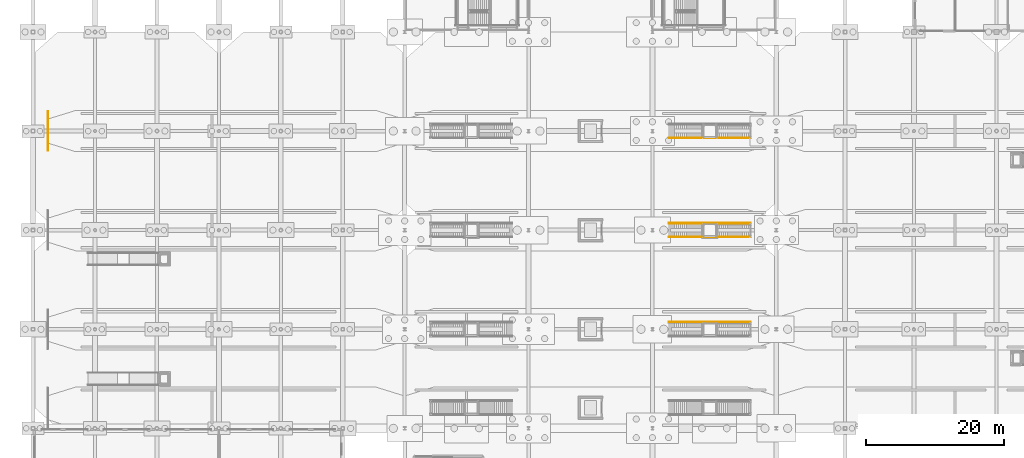
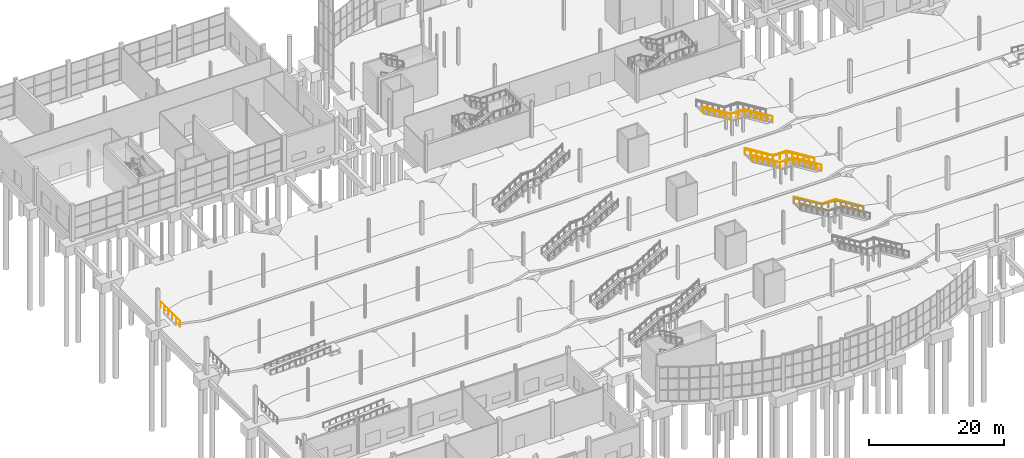
# One storey, part 103 of 115: 8 railings.
"""IFC4 building model written with IfcOpenShell, lengths in metres."""

from ifc_helpers import new_model, si_unit, direction, frame, origin, origin_2d, place, context, subcontext, project, spatial, circle, extrude, material, type_object, element, save


model = new_model("IFC4")

# Units and contexts
model_context = context("Model", 3, precision=1e-05, world=origin(), true_north=direction((0.0, 1.0)))
body_context = subcontext(model_context, "Body", "Model", "MODEL_VIEW")
ifc_project = project(units=[si_unit("LENGTHUNIT", "METRE"), si_unit("AREAUNIT", "SQUARE_METRE"), si_unit("VOLUMEUNIT", "CUBIC_METRE"), si_unit("PLANEANGLEUNIT", "RADIAN"), si_unit("MASSUNIT", "GRAM", prefix="KILO")], contexts=[model_context])

# Site, building, storey
site_placement = place(None, origin())
site = spatial("IfcSite", under=ifc_project, at=site_placement, CompositionType="ELEMENT")
building_placement = place(site_placement, origin())
building = spatial("IfcBuilding", under=site, at=building_placement, Name="Tamarisk Ironworks Central Station", CompositionType="ELEMENT")
storey_placement = place(building_placement, origin())
storey = spatial("IfcBuildingStorey", under=building, at=storey_placement, Name="L00", CompositionType="ELEMENT", Elevation=0.0)

# Railings
ifc_material = material(Name="Brushed stainless steel AISI 316", Category="steel")
railing_type_1 = type_object("IfcRailingType", Name="RL-GUARD-INT", PredefinedType="BALUSTRADE", material=ifc_material)
railing_1_placement = place(storey_placement, frame((104.239990234375, 37.0400390625, 0.719970703125)))
element("IfcRailing", 1, at=railing_1_placement, inside=storey, type_object=railing_type_1, Name="ST-P2B flight guard N", PredefinedType="BALUSTRADE", context=body_context, shape_type="SweptSolid", body=[
    extrude(circle(Radius=0.02392578125, at=origin_2d()), frame((0.0, 0.0, 1.09619140625), z_axis=(-0.850803161698, 0.0, 0.525484519319), x_axis=(0.0, -1.0, 0.0)), (0.0, 0.0, 1.0), 5.5947265625),
    extrude(circle(Radius=0.02392578125, at=origin_2d()), frame((-4.760009765625, 0.0, 4.0361328125), z_axis=(-1.0, 0.0, 0.0), x_axis=(0.0, -1.0, 0.0)), (0.0, 0.0, 1.0), 2.320068359375),
    extrude(circle(Radius=0.02392578125, at=origin_2d()), frame((-7.080078125, 0.0, 4.0361328125), z_axis=(-0.850783651871, 0.0, 0.525516106041), x_axis=(0.0, -1.0, 0.0)), (0.0, 0.0, 1.0), 5.594970703125),
    extrude(circle(Radius=0.02099609375, at=origin_2d()), origin(), (0.0, 0.0, 1.0), 1.072021484375),
    extrude(circle(Radius=0.02099609375, at=origin_2d()), frame((-0.951904296875, 0.0, 0.587890625)), (0.0, 0.0, 1.0), 1.072021484375),
    extrude(circle(Radius=0.02099609375, at=origin_2d()), frame((-1.904052734375, 0.0, 1.176025390625)), (0.0, 0.0, 1.0), 1.072021484375),
    extrude(circle(Radius=0.02099609375, at=origin_2d()), frame((-2.85595703125, 0.0, 1.763916015625)), (0.0, 0.0, 1.0), 1.072021484375),
    extrude(circle(Radius=0.02099609375, at=origin_2d()), frame((-3.80810546875, 0.0, 2.35205078125)), (0.0, 0.0, 1.0), 1.072021484375),
    extrude(circle(Radius=0.02099609375, at=origin_2d()), frame((-4.760009765625, 0.0, 2.93994140625)), (0.0, 0.0, 1.0), 1.072021484375),
    extrude(circle(Radius=0.02099609375, at=origin_2d()), frame((-5.919921875, 0.0, 2.93994140625)), (0.0, 0.0, 1.0), 1.072021484375),
    extrude(circle(Radius=0.02099609375, at=origin_2d()), frame((-7.080078125, 0.0, 2.93994140625)), (0.0, 0.0, 1.0), 1.072021484375),
    extrude(circle(Radius=0.02099609375, at=origin_2d()), frame((-8.031982421875, 0.0, 3.528076171875)), (0.0, 0.0, 1.0), 1.072021484375),
    extrude(circle(Radius=0.02099609375, at=origin_2d()), frame((-8.984130859375, 0.0, 4.115966796875)), (0.0, 0.0, 1.0), 1.072021484375),
    extrude(circle(Radius=0.02099609375, at=origin_2d()), frame((-9.93603515625, 0.0, 4.7041015625)), (0.0, 0.0, 1.0), 1.072021484375),
    extrude(circle(Radius=0.02099609375, at=origin_2d()), frame((-10.88818359375, 0.0, 5.2919921875)), (0.0, 0.0, 1.0), 1.072021484375),
    extrude(circle(Radius=0.02099609375, at=origin_2d()), frame((-11.840087890625, 0.0, 5.880126953125)), (0.0, 0.0, 1.0), 1.072021484375),
])
railing_2_placement = place(storey_placement, frame((104.239990234375, 49.360107421875, 0.719970703125)))
element("IfcRailing", 2, at=railing_2_placement, inside=storey, type_object=railing_type_1, Name="ST-P3B flight guard S", PredefinedType="BALUSTRADE", context=body_context, shape_type="SweptSolid", body=[
    extrude(circle(Radius=0.02392578125, at=origin_2d()), frame((0.0, 0.0, 1.09619140625), z_axis=(-0.850803161698, 0.0, 0.525484519319), x_axis=(0.0, -1.0, 0.0)), (0.0, 0.0, 1.0), 5.5947265625),
    extrude(circle(Radius=0.02392578125, at=origin_2d()), frame((-4.760009765625, 0.0, 4.0361328125), z_axis=(-1.0, 0.0, 0.0), x_axis=(0.0, -1.0, 0.0)), (0.0, 0.0, 1.0), 2.320068359375),
    extrude(circle(Radius=0.02392578125, at=origin_2d()), frame((-7.080078125, 0.0, 4.0361328125), z_axis=(-0.850783651871, 0.0, 0.525516106041), x_axis=(0.0, -1.0, 0.0)), (0.0, 0.0, 1.0), 5.594970703125),
    extrude(circle(Radius=0.02099609375, at=origin_2d()), origin(), (0.0, 0.0, 1.0), 1.072021484375),
    extrude(circle(Radius=0.02099609375, at=origin_2d()), frame((-0.951904296875, 0.0, 0.587890625)), (0.0, 0.0, 1.0), 1.072021484375),
    extrude(circle(Radius=0.02099609375, at=origin_2d()), frame((-1.904052734375, 0.0, 1.176025390625)), (0.0, 0.0, 1.0), 1.072021484375),
    extrude(circle(Radius=0.02099609375, at=origin_2d()), frame((-2.85595703125, 0.0, 1.763916015625)), (0.0, 0.0, 1.0), 1.072021484375),
    extrude(circle(Radius=0.02099609375, at=origin_2d()), frame((-3.80810546875, 0.0, 2.35205078125)), (0.0, 0.0, 1.0), 1.072021484375),
    extrude(circle(Radius=0.02099609375, at=origin_2d()), frame((-4.760009765625, 0.0, 2.93994140625)), (0.0, 0.0, 1.0), 1.072021484375),
    extrude(circle(Radius=0.02099609375, at=origin_2d()), frame((-5.919921875, 0.0, 2.93994140625)), (0.0, 0.0, 1.0), 1.072021484375),
    extrude(circle(Radius=0.02099609375, at=origin_2d()), frame((-7.080078125, 0.0, 2.93994140625)), (0.0, 0.0, 1.0), 1.072021484375),
    extrude(circle(Radius=0.02099609375, at=origin_2d()), frame((-8.031982421875, 0.0, 3.528076171875)), (0.0, 0.0, 1.0), 1.072021484375),
    extrude(circle(Radius=0.02099609375, at=origin_2d()), frame((-8.984130859375, 0.0, 4.115966796875)), (0.0, 0.0, 1.0), 1.072021484375),
    extrude(circle(Radius=0.02099609375, at=origin_2d()), frame((-9.93603515625, 0.0, 4.7041015625)), (0.0, 0.0, 1.0), 1.072021484375),
    extrude(circle(Radius=0.02099609375, at=origin_2d()), frame((-10.88818359375, 0.0, 5.2919921875)), (0.0, 0.0, 1.0), 1.072021484375),
    extrude(circle(Radius=0.02099609375, at=origin_2d()), frame((-11.840087890625, 0.0, 5.880126953125)), (0.0, 0.0, 1.0), 1.072021484375),
])
railing_3_placement = place(storey_placement, frame((104.239990234375, 51.43994140625, 0.719970703125)))
element("IfcRailing", 3, at=railing_3_placement, inside=storey, type_object=railing_type_1, Name="ST-P3B flight guard N", PredefinedType="BALUSTRADE", context=body_context, shape_type="SweptSolid", body=[
    extrude(circle(Radius=0.02392578125, at=origin_2d()), frame((0.0, 0.0, 1.09619140625), z_axis=(-0.850803161698, 0.0, 0.525484519319), x_axis=(0.0, -1.0, 0.0)), (0.0, 0.0, 1.0), 5.5947265625),
    extrude(circle(Radius=0.02392578125, at=origin_2d()), frame((-4.760009765625, 0.0, 4.0361328125), z_axis=(-1.0, 0.0, 0.0), x_axis=(0.0, -1.0, 0.0)), (0.0, 0.0, 1.0), 2.320068359375),
    extrude(circle(Radius=0.02392578125, at=origin_2d()), frame((-7.080078125, 0.0, 4.0361328125), z_axis=(-0.850783651871, 0.0, 0.525516106041), x_axis=(0.0, -1.0, 0.0)), (0.0, 0.0, 1.0), 5.594970703125),
    extrude(circle(Radius=0.02099609375, at=origin_2d()), origin(), (0.0, 0.0, 1.0), 1.072021484375),
    extrude(circle(Radius=0.02099609375, at=origin_2d()), frame((-0.951904296875, 0.0, 0.587890625)), (0.0, 0.0, 1.0), 1.072021484375),
    extrude(circle(Radius=0.02099609375, at=origin_2d()), frame((-1.904052734375, 0.0, 1.176025390625)), (0.0, 0.0, 1.0), 1.072021484375),
    extrude(circle(Radius=0.02099609375, at=origin_2d()), frame((-2.85595703125, 0.0, 1.763916015625)), (0.0, 0.0, 1.0), 1.072021484375),
    extrude(circle(Radius=0.02099609375, at=origin_2d()), frame((-3.80810546875, 0.0, 2.35205078125)), (0.0, 0.0, 1.0), 1.072021484375),
    extrude(circle(Radius=0.02099609375, at=origin_2d()), frame((-4.760009765625, 0.0, 2.93994140625)), (0.0, 0.0, 1.0), 1.072021484375),
    extrude(circle(Radius=0.02099609375, at=origin_2d()), frame((-5.919921875, 0.0, 2.93994140625)), (0.0, 0.0, 1.0), 1.072021484375),
    extrude(circle(Radius=0.02099609375, at=origin_2d()), frame((-7.080078125, 0.0, 2.93994140625)), (0.0, 0.0, 1.0), 1.072021484375),
    extrude(circle(Radius=0.02099609375, at=origin_2d()), frame((-8.031982421875, 0.0, 3.528076171875)), (0.0, 0.0, 1.0), 1.072021484375),
    extrude(circle(Radius=0.02099609375, at=origin_2d()), frame((-8.984130859375, 0.0, 4.115966796875)), (0.0, 0.0, 1.0), 1.072021484375),
    extrude(circle(Radius=0.02099609375, at=origin_2d()), frame((-9.93603515625, 0.0, 4.7041015625)), (0.0, 0.0, 1.0), 1.072021484375),
    extrude(circle(Radius=0.02099609375, at=origin_2d()), frame((-10.88818359375, 0.0, 5.2919921875)), (0.0, 0.0, 1.0), 1.072021484375),
    extrude(circle(Radius=0.02099609375, at=origin_2d()), frame((-11.840087890625, 0.0, 5.880126953125)), (0.0, 0.0, 1.0), 1.072021484375),
])
railing_4_placement = place(storey_placement, frame((104.239990234375, 63.760009765625, 0.719970703125)))
element("IfcRailing", 4, at=railing_4_placement, inside=storey, type_object=railing_type_1, Name="ST-P4B flight guard S", PredefinedType="BALUSTRADE", context=body_context, shape_type="SweptSolid", body=[
    extrude(circle(Radius=0.02392578125, at=origin_2d()), frame((0.0, 0.0, 1.09619140625), z_axis=(-0.850803161698, 0.0, 0.525484519319), x_axis=(0.0, -1.0, 0.0)), (0.0, 0.0, 1.0), 5.5947265625),
    extrude(circle(Radius=0.02392578125, at=origin_2d()), frame((-4.760009765625, 0.0, 4.0361328125), z_axis=(-1.0, 0.0, 0.0), x_axis=(0.0, -1.0, 0.0)), (0.0, 0.0, 1.0), 2.320068359375),
    extrude(circle(Radius=0.02392578125, at=origin_2d()), frame((-7.080078125, 0.0, 4.0361328125), z_axis=(-0.850783651871, 0.0, 0.525516106041), x_axis=(0.0, -1.0, 0.0)), (0.0, 0.0, 1.0), 5.594970703125),
    extrude(circle(Radius=0.02099609375, at=origin_2d()), origin(), (0.0, 0.0, 1.0), 1.072021484375),
    extrude(circle(Radius=0.02099609375, at=origin_2d()), frame((-0.951904296875, 0.0, 0.587890625)), (0.0, 0.0, 1.0), 1.072021484375),
    extrude(circle(Radius=0.02099609375, at=origin_2d()), frame((-1.904052734375, 0.0, 1.176025390625)), (0.0, 0.0, 1.0), 1.072021484375),
    extrude(circle(Radius=0.02099609375, at=origin_2d()), frame((-2.85595703125, 0.0, 1.763916015625)), (0.0, 0.0, 1.0), 1.072021484375),
    extrude(circle(Radius=0.02099609375, at=origin_2d()), frame((-3.80810546875, 0.0, 2.35205078125)), (0.0, 0.0, 1.0), 1.072021484375),
    extrude(circle(Radius=0.02099609375, at=origin_2d()), frame((-4.760009765625, 0.0, 2.93994140625)), (0.0, 0.0, 1.0), 1.072021484375),
    extrude(circle(Radius=0.02099609375, at=origin_2d()), frame((-5.919921875, 0.0, 2.93994140625)), (0.0, 0.0, 1.0), 1.072021484375),
    extrude(circle(Radius=0.02099609375, at=origin_2d()), frame((-7.080078125, 0.0, 2.93994140625)), (0.0, 0.0, 1.0), 1.072021484375),
    extrude(circle(Radius=0.02099609375, at=origin_2d()), frame((-8.031982421875, 0.0, 3.528076171875)), (0.0, 0.0, 1.0), 1.072021484375),
    extrude(circle(Radius=0.02099609375, at=origin_2d()), frame((-8.984130859375, 0.0, 4.115966796875)), (0.0, 0.0, 1.0), 1.072021484375),
    extrude(circle(Radius=0.02099609375, at=origin_2d()), frame((-9.93603515625, 0.0, 4.7041015625)), (0.0, 0.0, 1.0), 1.072021484375),
    extrude(circle(Radius=0.02099609375, at=origin_2d()), frame((-10.88818359375, 0.0, 5.2919921875)), (0.0, 0.0, 1.0), 1.072021484375),
    extrude(circle(Radius=0.02099609375, at=origin_2d()), frame((-11.840087890625, 0.0, 5.880126953125)), (0.0, 0.0, 1.0), 1.072021484375),
])
railing_5_placement = place(storey_placement, frame((2.14990234375, 61.949951171875, 0.719970703125)))
element("IfcRailing", 5, at=railing_5_placement, inside=storey, type_object=railing_type_1, Name="P4 west buffer-end safety guard", PredefinedType="BALUSTRADE", context=body_context, shape_type="SweptSolid", body=[
    extrude(circle(Radius=0.02392578125, at=origin_2d()), frame((0.0, 0.0, 1.09619140625), z_axis=(0.0, 1.0, 0.0), x_axis=(-1.0, 0.0, 0.0)), (0.0, 0.0, 1.0), 5.699951171875),
    extrude(circle(Radius=0.02099609375, at=origin_2d()), origin(), (0.0, 0.0, 1.0), 1.072021484375),
    extrude(circle(Radius=0.02099609375, at=origin_2d()), frame((0.0, 1.139892578125, 0.0)), (0.0, 0.0, 1.0), 1.072021484375),
    extrude(circle(Radius=0.02099609375, at=origin_2d()), frame((0.0, 2.280029296875, 0.0)), (0.0, 0.0, 1.0), 1.072021484375),
    extrude(circle(Radius=0.02099609375, at=origin_2d()), frame((0.0, 3.419921875, 0.0)), (0.0, 0.0, 1.0), 1.072021484375),
    extrude(circle(Radius=0.02099609375, at=origin_2d()), frame((0.0, 4.56005859375, 0.0)), (0.0, 0.0, 1.0), 1.072021484375),
    extrude(circle(Radius=0.02099609375, at=origin_2d()), frame((0.0, 5.699951171875, 0.0)), (0.0, 0.0, 1.0), 1.072021484375),
])
railing_type_2 = type_object("IfcRailingType", Name="RL-HAND", PredefinedType="HANDRAIL", material=ifc_material)
railing_6_placement = place(storey_placement, frame((104.239990234375, 49.43994140625, 0.88330078125)))
element("IfcRailing", 6, at=railing_6_placement, inside=storey, type_object=railing_type_2, Name="ST-P3B handrail S", PredefinedType="HANDRAIL", context=body_context, shape_type="SweptSolid", body=[
    extrude(circle(Radius=0.02392578125, at=origin_2d()), frame((0.0, 0.0, 0.8759765625), z_axis=(-0.863783721438, 0.0, 0.503862761651), x_axis=(0.0, -1.0, 0.0)), (0.0, 0.0, 1.0), 5.5107421875),
    extrude(circle(Radius=0.02392578125, at=origin_2d()), frame((-4.760009765625, 0.0, 3.65234375), z_axis=(-0.997531175799, 0.0, 0.070225019111), x_axis=(0.0, -1.0, 0.0)), (0.0, 0.0, 1.0), 2.325927734375),
    extrude(circle(Radius=0.02392578125, at=origin_2d()), frame((-7.080078125, 0.0, 3.81591796875), z_axis=(-0.863764439128, 0.0, 0.503895816313), x_axis=(0.0, -1.0, 0.0)), (0.0, 0.0, 1.0), 5.5107421875),
    extrude(circle(Radius=0.02099609375, at=origin_2d()), origin(), (0.0, 0.0, 1.0), 0.851806640625),
    extrude(circle(Radius=0.02099609375, at=origin_2d()), frame((-0.951904296875, 0.0, 0.555419921875)), (0.0, 0.0, 1.0), 0.851806640625),
    extrude(circle(Radius=0.02099609375, at=origin_2d()), frame((-1.904052734375, 0.0, 1.110595703125)), (0.0, 0.0, 1.0), 0.851806640625),
    extrude(circle(Radius=0.02099609375, at=origin_2d()), frame((-2.85595703125, 0.0, 1.666015625)), (0.0, 0.0, 1.0), 0.851806640625),
    extrude(circle(Radius=0.02099609375, at=origin_2d()), frame((-3.80810546875, 0.0, 2.22119140625)), (0.0, 0.0, 1.0), 0.851806640625),
    extrude(circle(Radius=0.02099609375, at=origin_2d()), frame((-4.760009765625, 0.0, 2.776611328125)), (0.0, 0.0, 1.0), 0.851806640625),
    extrude(circle(Radius=0.02099609375, at=origin_2d()), frame((-5.919921875, 0.0, 2.8583984375)), (0.0, 0.0, 1.0), 0.851806640625),
    extrude(circle(Radius=0.02099609375, at=origin_2d()), frame((-7.080078125, 0.0, 2.93994140625)), (0.0, 0.0, 1.0), 0.851806640625),
    extrude(circle(Radius=0.02099609375, at=origin_2d()), frame((-8.031982421875, 0.0, 3.495361328125)), (0.0, 0.0, 1.0), 0.851806640625),
    extrude(circle(Radius=0.02099609375, at=origin_2d()), frame((-8.984130859375, 0.0, 4.05078125)), (0.0, 0.0, 1.0), 0.851806640625),
    extrude(circle(Radius=0.02099609375, at=origin_2d()), frame((-9.93603515625, 0.0, 4.60595703125)), (0.0, 0.0, 1.0), 0.851806640625),
    extrude(circle(Radius=0.02099609375, at=origin_2d()), frame((-10.88818359375, 0.0, 5.161376953125)), (0.0, 0.0, 1.0), 0.851806640625),
    extrude(circle(Radius=0.02099609375, at=origin_2d()), frame((-11.840087890625, 0.0, 5.716796875)), (0.0, 0.0, 1.0), 0.851806640625),
])
railing_7_placement = place(storey_placement, frame((104.239990234375, 51.360107421875, 0.88330078125)))
element("IfcRailing", 7, at=railing_7_placement, inside=storey, type_object=railing_type_2, Name="ST-P3B handrail N", PredefinedType="HANDRAIL", context=body_context, shape_type="SweptSolid", body=[
    extrude(circle(Radius=0.02392578125, at=origin_2d()), frame((0.0, 0.0, 0.8759765625), z_axis=(-0.863783721438, 0.0, 0.503862761651), x_axis=(0.0, -1.0, 0.0)), (0.0, 0.0, 1.0), 5.5107421875),
    extrude(circle(Radius=0.02392578125, at=origin_2d()), frame((-4.760009765625, 0.0, 3.65234375), z_axis=(-0.997531175799, 0.0, 0.070225019111), x_axis=(0.0, -1.0, 0.0)), (0.0, 0.0, 1.0), 2.325927734375),
    extrude(circle(Radius=0.02392578125, at=origin_2d()), frame((-7.080078125, 0.0, 3.81591796875), z_axis=(-0.863764439128, 0.0, 0.503895816313), x_axis=(0.0, -1.0, 0.0)), (0.0, 0.0, 1.0), 5.5107421875),
    extrude(circle(Radius=0.02099609375, at=origin_2d()), origin(), (0.0, 0.0, 1.0), 0.851806640625),
    extrude(circle(Radius=0.02099609375, at=origin_2d()), frame((-0.951904296875, 0.0, 0.555419921875)), (0.0, 0.0, 1.0), 0.851806640625),
    extrude(circle(Radius=0.02099609375, at=origin_2d()), frame((-1.904052734375, 0.0, 1.110595703125)), (0.0, 0.0, 1.0), 0.851806640625),
    extrude(circle(Radius=0.02099609375, at=origin_2d()), frame((-2.85595703125, 0.0, 1.666015625)), (0.0, 0.0, 1.0), 0.851806640625),
    extrude(circle(Radius=0.02099609375, at=origin_2d()), frame((-3.80810546875, 0.0, 2.22119140625)), (0.0, 0.0, 1.0), 0.851806640625),
    extrude(circle(Radius=0.02099609375, at=origin_2d()), frame((-4.760009765625, 0.0, 2.776611328125)), (0.0, 0.0, 1.0), 0.851806640625),
    extrude(circle(Radius=0.02099609375, at=origin_2d()), frame((-5.919921875, 0.0, 2.8583984375)), (0.0, 0.0, 1.0), 0.851806640625),
    extrude(circle(Radius=0.02099609375, at=origin_2d()), frame((-7.080078125, 0.0, 2.93994140625)), (0.0, 0.0, 1.0), 0.851806640625),
    extrude(circle(Radius=0.02099609375, at=origin_2d()), frame((-8.031982421875, 0.0, 3.495361328125)), (0.0, 0.0, 1.0), 0.851806640625),
    extrude(circle(Radius=0.02099609375, at=origin_2d()), frame((-8.984130859375, 0.0, 4.05078125)), (0.0, 0.0, 1.0), 0.851806640625),
    extrude(circle(Radius=0.02099609375, at=origin_2d()), frame((-9.93603515625, 0.0, 4.60595703125)), (0.0, 0.0, 1.0), 0.851806640625),
    extrude(circle(Radius=0.02099609375, at=origin_2d()), frame((-10.88818359375, 0.0, 5.161376953125)), (0.0, 0.0, 1.0), 0.851806640625),
    extrude(circle(Radius=0.02099609375, at=origin_2d()), frame((-11.840087890625, 0.0, 5.716796875)), (0.0, 0.0, 1.0), 0.851806640625),
])
railing_8_placement = place(storey_placement, frame((104.239990234375, 63.840087890625, 0.88330078125)))
element("IfcRailing", 8, at=railing_8_placement, inside=storey, type_object=railing_type_2, Name="ST-P4B handrail S", PredefinedType="HANDRAIL", context=body_context, shape_type="SweptSolid", body=[
    extrude(circle(Radius=0.02392578125, at=origin_2d()), frame((0.0, 0.0, 0.8759765625), z_axis=(-0.863783721438, 0.0, 0.503862761651), x_axis=(0.0, -1.0, 0.0)), (0.0, 0.0, 1.0), 5.5107421875),
    extrude(circle(Radius=0.02392578125, at=origin_2d()), frame((-4.760009765625, 0.0, 3.65234375), z_axis=(-0.997531175799, 0.0, 0.070225019111), x_axis=(0.0, -1.0, 0.0)), (0.0, 0.0, 1.0), 2.325927734375),
    extrude(circle(Radius=0.02392578125, at=origin_2d()), frame((-7.080078125, 0.0, 3.81591796875), z_axis=(-0.863764439128, 0.0, 0.503895816313), x_axis=(0.0, -1.0, 0.0)), (0.0, 0.0, 1.0), 5.5107421875),
    extrude(circle(Radius=0.02099609375, at=origin_2d()), origin(), (0.0, 0.0, 1.0), 0.851806640625),
    extrude(circle(Radius=0.02099609375, at=origin_2d()), frame((-0.951904296875, 0.0, 0.555419921875)), (0.0, 0.0, 1.0), 0.851806640625),
    extrude(circle(Radius=0.02099609375, at=origin_2d()), frame((-1.904052734375, 0.0, 1.110595703125)), (0.0, 0.0, 1.0), 0.851806640625),
    extrude(circle(Radius=0.02099609375, at=origin_2d()), frame((-2.85595703125, 0.0, 1.666015625)), (0.0, 0.0, 1.0), 0.851806640625),
    extrude(circle(Radius=0.02099609375, at=origin_2d()), frame((-3.80810546875, 0.0, 2.22119140625)), (0.0, 0.0, 1.0), 0.851806640625),
    extrude(circle(Radius=0.02099609375, at=origin_2d()), frame((-4.760009765625, 0.0, 2.776611328125)), (0.0, 0.0, 1.0), 0.851806640625),
    extrude(circle(Radius=0.02099609375, at=origin_2d()), frame((-5.919921875, 0.0, 2.8583984375)), (0.0, 0.0, 1.0), 0.851806640625),
    extrude(circle(Radius=0.02099609375, at=origin_2d()), frame((-7.080078125, 0.0, 2.93994140625)), (0.0, 0.0, 1.0), 0.851806640625),
    extrude(circle(Radius=0.02099609375, at=origin_2d()), frame((-8.031982421875, 0.0, 3.495361328125)), (0.0, 0.0, 1.0), 0.851806640625),
    extrude(circle(Radius=0.02099609375, at=origin_2d()), frame((-8.984130859375, 0.0, 4.05078125)), (0.0, 0.0, 1.0), 0.851806640625),
    extrude(circle(Radius=0.02099609375, at=origin_2d()), frame((-9.93603515625, 0.0, 4.60595703125)), (0.0, 0.0, 1.0), 0.851806640625),
    extrude(circle(Radius=0.02099609375, at=origin_2d()), frame((-10.88818359375, 0.0, 5.161376953125)), (0.0, 0.0, 1.0), 0.851806640625),
    extrude(circle(Radius=0.02099609375, at=origin_2d()), frame((-11.840087890625, 0.0, 5.716796875)), (0.0, 0.0, 1.0), 0.851806640625),
])

save(model, "model.ifc")
